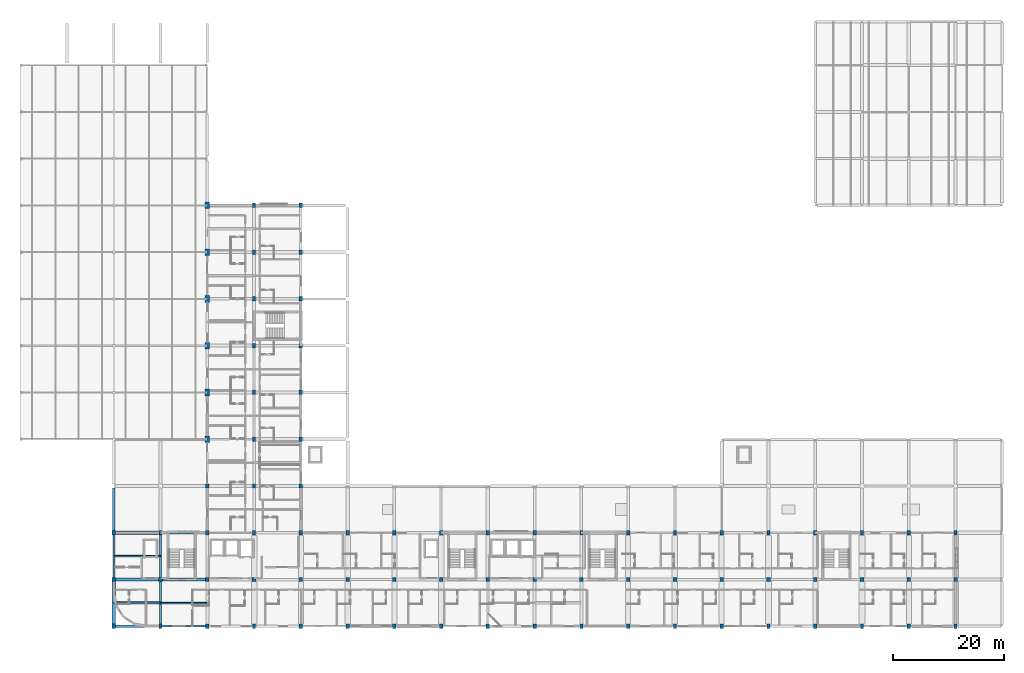
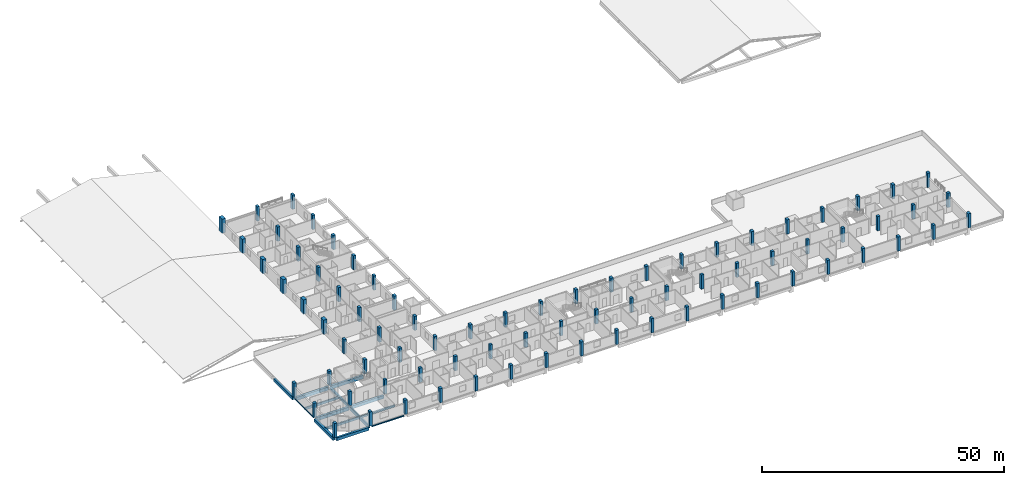
# One storey, part 1 of 42: 78 columns, 14 beams.
"""IFC4 building model written with IfcOpenShell, lengths in metres."""

from ifc_helpers import new_model, si_unit, derived_unit, direction, frame, origin, origin_2d, place, context, subcontext, project, spatial, rectangle, hollow_rectangle, i_section, extrude, material, material_profile, profile_set, type_object, element, save


model = new_model("IFC4")

# Units and contexts
model_context = context("Model", 3, precision=1e-05, world=origin(), true_north=direction((0.0, 1.0)))
body_context = subcontext(model_context, "Body", "Model", "MODEL_VIEW")
ifc_project = project(units=[si_unit("LENGTHUNIT", "METRE"), si_unit("AREAUNIT", "SQUARE_METRE"), si_unit("VOLUMEUNIT", "CUBIC_METRE"), si_unit("PLANEANGLEUNIT", "RADIAN"), si_unit("MASSUNIT", "GRAM", prefix="KILO"), derived_unit("THERMALTRANSMITTANCEUNIT", [(si_unit("POWERUNIT", "WATT"), 1), (si_unit("LENGTHUNIT", "METRE"), -2), (si_unit("THERMODYNAMICTEMPERATUREUNIT", "KELVIN"), -1)])], contexts=[model_context])

# Site, building, storey
site_placement = place(None, origin())
site = spatial("IfcSite", under=ifc_project, at=site_placement, CompositionType="ELEMENT")
building_placement = place(site_placement, origin())
building = spatial("IfcBuilding", under=site, at=building_placement, Name="Barrovel Congress Hotel", CompositionType="ELEMENT")
storey_placement = place(building_placement, frame((0.0, 0.0, 18.300048828125)))
storey = spatial("IfcBuildingStorey", under=building, at=storey_placement, Name="L04", CompositionType="ELEMENT", Elevation=18.300048828125)

# Columns
ifc_material_1 = material(Name="Concrete C40", Category="concrete")
ifc_material_profile_1 = material_profile(ifc_material_1, rectangle(XDim=0.60009765625, YDim=0.800048828125, at=origin_2d()), Name="RC600x800")
ifc_profile_set_1 = profile_set([ifc_material_profile_1], Name="Concrete C40")
column_type_1 = type_object("IfcColumnType", Name="COL-RC600x800", PredefinedType="COLUMN", material=ifc_profile_set_1)
for number, where, z_axis, x_axis, name in (
    (1, (16.800048828125, 4.199951171875, 0.0), (0.0, 0.0, 1.0), (1.0, 0.0, 0.0), "COL:L04:16.8:4.2"),
    (2, (16.800048828125, 21.0, 0.0), (0.0, 0.0, 1.0), (1.0, 0.0, 0.0), "COL:L04:16.8:21.0"),
    (3, (25.199951171875, 4.199951171875, 0.0), (0.0, 0.0, 1.0), (1.0, 0.0, 0.0), "COL:L04:25.2:4.2"),
    (4, (25.199951171875, 21.0, 0.0), (0.0, 0.0, 1.0), (1.0, 0.0, 0.0), "COL:L04:25.2:21.0"),
    (5, (33.60009765625, 4.199951171875, 0.0), (0.0, 0.0, 1.0), (1.0, 0.0, 0.0), "COL:L04:33.6:4.2"),
    (6, (33.60009765625, 21.0, 0.0), (0.0, 0.0, 1.0), (1.0, 0.0, 0.0), "COL:L04:33.6:21.0"),
    (7, (33.60009765625, 29.39990234375, 0.0), (0.0, 0.0, 1.0), (1.0, 0.0, 0.0), "COL:L04:33.6:29.4"),
    (8, (42.0, 4.199951171875, 0.0), (0.0, 0.0, 1.0), (1.0, 0.0, 0.0), "COL:L04:42.0:4.2"),
    (9, (42.0, 21.0, 0.0), (0.0, 0.0, 1.0), (1.0, 0.0, 0.0), "COL:L04:42.0:21.0"),
    (10, (42.0, 29.39990234375, 0.0), (0.0, 0.0, 1.0), (1.0, 0.0, 0.0), "COL:L04:42.0:29.4"),
    (11, (42.0, 37.800048828125, 0.0), (0.0, 0.0, 1.0), (1.0, 0.0, 0.0), "COL:L04:42.0:37.8"),
    (12, (42.0, 46.199951171875, 0.0), (0.0, 0.0, 1.0), (1.0, 0.0, 0.0), "COL:L04:42.0:46.2"),
    (13, (42.0, 54.60009765625, 0.0), (0.0, 0.0, 1.0), (1.0, 0.0, 0.0), "COL:L04:42.0:54.6"),
    (14, (42.0, 63.0, 0.0), (0.0, 0.0, 1.0), (1.0, 0.0, 0.0), "COL:L04:42.0:63.0"),
    (15, (42.0, 71.39990234375, 0.0), (0.0, 0.0, 1.0), (1.0, 0.0, 0.0), "COL:L04:42.0:71.4"),
    (16, (42.0, 79.800048828125, 0.0), (0.0, 0.0, 1.0), (1.0, 0.0, 0.0), "COL:L04:42.0:79.8"),
    (17, (50.39990234375, 4.199951171875, 0.0), (0.0, 0.0, 1.0), (1.0, 0.0, 0.0), "COL:L04:50.4:4.2"),
    (18, (50.39990234375, 21.0, 0.0), (0.0, 0.0, 1.0), (1.0, 0.0, 0.0), "COL:L04:50.4:21.0"),
    (19, (50.39990234375, 29.39990234375, 0.0), (0.0, 0.0, 1.0), (1.0, 0.0, 0.0), "COL:L04:50.4:29.4"),
    (20, (50.39990234375, 37.800048828125, 0.0), (0.0, 0.0, 1.0), (1.0, 0.0, 0.0), "COL:L04:50.4:37.8"),
    (21, (50.39990234375, 46.199951171875, 0.0), (0.0, 0.0, 1.0), (1.0, 0.0, 0.0), "COL:L04:50.4:46.2"),
    (22, (50.39990234375, 54.60009765625, 0.0), (0.0, 0.0, 1.0), (1.0, 0.0, 0.0), "COL:L04:50.4:54.6"),
    (23, (50.39990234375, 63.0, 0.0), (0.0, 0.0, 1.0), (1.0, 0.0, 0.0), "COL:L04:50.4:63.0"),
    (24, (50.39990234375, 71.39990234375, 0.0), (0.0, 0.0, 1.0), (1.0, 0.0, 0.0), "COL:L04:50.4:71.4"),
    (25, (50.39990234375, 79.800048828125, 0.0), (0.0, 0.0, 1.0), (1.0, 0.0, 0.0), "COL:L04:50.4:79.8"),
    (26, (58.800048828125, 4.199951171875, 0.0), (0.0, 0.0, 1.0), (1.0, 0.0, 0.0), "COL:L04:58.8:4.2"),
    (27, (58.800048828125, 21.0, 0.0), (0.0, 0.0, 1.0), (1.0, 0.0, 0.0), "COL:L04:58.8:21.0"),
    (28, (67.199951171875, 4.199951171875, 0.0), (0.0, 0.0, 1.0), (1.0, 0.0, 0.0), "COL:L04:67.2:4.2"),
    (29, (67.199951171875, 21.0, 0.0), (0.0, 0.0, 1.0), (1.0, 0.0, 0.0), "COL:L04:67.2:21.0"),
    (30, (75.60009765625, 4.199951171875, 0.0), (0.0, 0.0, 1.0), (1.0, 0.0, 0.0), "COL:L04:75.6:4.2"),
    (31, (75.60009765625, 21.0, 0.0), (0.0, 0.0, 1.0), (1.0, 0.0, 0.0), "COL:L04:75.6:21.0"),
    (32, (84.0, 4.199951171875, 0.0), (0.0, 0.0, 1.0), (1.0, 0.0, 0.0), "COL:L04:84.0:4.2"),
    (33, (84.0, 21.0, 0.0), (0.0, 0.0, 1.0), (1.0, 0.0, 0.0), "COL:L04:84.0:21.0"),
    (34, (92.39990234375, 4.199951171875, 0.0), (0.0, 0.0, 1.0), (1.0, 0.0, 0.0), "COL:L04:92.4:4.2"),
    (35, (92.39990234375, 21.0, 0.0), (0.0, 0.0, 1.0), (1.0, 0.0, 0.0), "COL:L04:92.4:21.0"),
    (36, (100.800048828125, 4.199951171875, 0.0), (0.0, 0.0, 1.0), (1.0, 0.0, 0.0), "COL:L04:100.8:4.2"),
    (37, (100.800048828125, 21.0, 0.0), (0.0, 0.0, 1.0), (1.0, 0.0, 0.0), "COL:L04:100.8:21.0"),
    (38, (109.199951171875, 4.199951171875, 0.0), (0.0, 0.0, 1.0), (1.0, 0.0, 0.0), "COL:L04:109.2:4.2"),
    (39, (109.199951171875, 21.0, 0.0), (0.0, 0.0, 1.0), (1.0, 0.0, 0.0), "COL:L04:109.2:21.0"),
    (40, (117.60009765625, 4.199951171875, 0.0), (0.0, 0.0, 1.0), (1.0, 0.0, 0.0), "COL:L04:117.6:4.2"),
    (41, (117.60009765625, 21.0, 0.0), (0.0, 0.0, 1.0), (1.0, 0.0, 0.0), "COL:L04:117.6:21.0"),
    (42, (126.0, 4.199951171875, 0.0), (0.0, 0.0, 1.0), (1.0, 0.0, 0.0), "COL:L04:126.0:4.2"),
    (43, (126.0, 21.0, 0.0), (0.0, 0.0, 1.0), (1.0, 0.0, 0.0), "COL:L04:126.0:21.0"),
    (44, (134.39990234375, 4.199951171875, 0.0), (0.0, 0.0, 1.0), (1.0, 0.0, 0.0), "COL:L04:134.4:4.2"),
    (45, (134.39990234375, 21.0, 0.0), (0.0, 0.0, 1.0), (1.0, 0.0, 0.0), "COL:L04:134.4:21.0"),
    (46, (142.800048828125, 4.199951171875, 0.0), (0.0, 0.0, 1.0), (1.0, 0.0, 0.0), "COL:L04:142.8:4.2"),
    (47, (142.800048828125, 21.0, 0.0), (0.0, 0.0, 1.0), (1.0, 0.0, 0.0), "COL:L04:142.8:21.0"),
    (48, (151.199951171875, 4.199951171875, 0.0), (0.0, 0.0, 1.0), (1.0, 0.0, 0.0), "COL:L04:151.2:4.2"),
    (49, (151.199951171875, 21.0, 0.0), (0.0, 0.0, 1.0), (1.0, 0.0, 0.0), "COL:L04:151.2:21.0"),
    (50, (159.60009765625, 4.199951171875, 0.0), (0.0, 0.0, 1.0), (1.0, 0.0, 0.0), "COL:L04:159.6:4.2"),
    (51, (159.60009765625, 21.0, 0.0), (0.0, 0.0, 1.0), (1.0, 0.0, 0.0), "COL:L04:159.6:21.0"),
    (52, (168.0, 4.199951171875, 0.0), (0.0, 0.0, 1.0), (1.0, 0.0, 0.0), "COL:L04:168.0:4.2"),
    (53, (168.0, 21.0, 0.0), (0.0, 0.0, 1.0), (1.0, 0.0, 0.0), "COL:L04:168.0:21.0"),
):
    element("IfcColumn", number, at=place(storey_placement, frame(where, z_axis=z_axis, x_axis=x_axis)), inside=storey, type_object=column_type_1, Name=name, PredefinedType="COLUMN", context=body_context, shape_type="SweptSolid", body=[
        extrude(rectangle(XDim=0.60009765625, YDim=0.800048828125, at=origin_2d()), origin(), (0.0, 0.0, 1.0), 3.599853515625),
    ])
ifc_material_profile_2 = material_profile(ifc_material_1, rectangle(XDim=0.64990234375, YDim=0.64990234375, at=origin_2d()), Name="RC650x650")
ifc_profile_set_2 = profile_set([ifc_material_profile_2], Name="Concrete C40")
column_type_2 = type_object("IfcColumnType", Name="COL-RC650x650", PredefinedType="COLUMN", material=ifc_profile_set_2)
for number, where, z_axis, x_axis, name in (
    (54, (16.800048828125, 12.60009765625, 0.0), (0.0, 0.0, 1.0), (1.0, 0.0, 0.0), "COL:L04:16.8:12.6"),
    (55, (25.199951171875, 12.60009765625, 0.0), (0.0, 0.0, 1.0), (1.0, 0.0, 0.0), "COL:L04:25.2:12.6"),
    (56, (33.60009765625, 12.60009765625, 0.0), (0.0, 0.0, 1.0), (1.0, 0.0, 0.0), "COL:L04:33.6:12.6"),
    (57, (42.0, 12.60009765625, 0.0), (0.0, 0.0, 1.0), (1.0, 0.0, 0.0), "COL:L04:42.0:12.6"),
    (58, (50.39990234375, 12.60009765625, 0.0), (0.0, 0.0, 1.0), (1.0, 0.0, 0.0), "COL:L04:50.4:12.6"),
    (59, (58.800048828125, 12.60009765625, 0.0), (0.0, 0.0, 1.0), (1.0, 0.0, 0.0), "COL:L04:58.8:12.6"),
    (60, (67.199951171875, 12.60009765625, 0.0), (0.0, 0.0, 1.0), (1.0, 0.0, 0.0), "COL:L04:67.2:12.6"),
    (61, (75.60009765625, 12.60009765625, 0.0), (0.0, 0.0, 1.0), (1.0, 0.0, 0.0), "COL:L04:75.6:12.6"),
    (62, (84.0, 12.60009765625, 0.0), (0.0, 0.0, 1.0), (1.0, 0.0, 0.0), "COL:L04:84.0:12.6"),
    (63, (92.39990234375, 12.60009765625, 0.0), (0.0, 0.0, 1.0), (1.0, 0.0, 0.0), "COL:L04:92.4:12.6"),
    (64, (100.800048828125, 12.60009765625, 0.0), (0.0, 0.0, 1.0), (1.0, 0.0, 0.0), "COL:L04:100.8:12.6"),
    (65, (109.199951171875, 12.60009765625, 0.0), (0.0, 0.0, 1.0), (1.0, 0.0, 0.0), "COL:L04:109.2:12.6"),
    (66, (117.60009765625, 12.60009765625, 0.0), (0.0, 0.0, 1.0), (1.0, 0.0, 0.0), "COL:L04:117.6:12.6"),
    (67, (126.0, 12.60009765625, 0.0), (0.0, 0.0, 1.0), (1.0, 0.0, 0.0), "COL:L04:126.0:12.6"),
    (68, (134.39990234375, 12.60009765625, 0.0), (0.0, 0.0, 1.0), (1.0, 0.0, 0.0), "COL:L04:134.4:12.6"),
    (69, (142.800048828125, 12.60009765625, 0.0), (0.0, 0.0, 1.0), (1.0, 0.0, 0.0), "COL:L04:142.8:12.6"),
    (70, (151.199951171875, 12.60009765625, 0.0), (0.0, 0.0, 1.0), (1.0, 0.0, 0.0), "COL:L04:151.2:12.6"),
    (71, (159.60009765625, 12.60009765625, 0.0), (0.0, 0.0, 1.0), (1.0, 0.0, 0.0), "COL:L04:159.6:12.6"),
    (72, (168.0, 12.60009765625, 0.0), (0.0, 0.0, 1.0), (1.0, 0.0, 0.0), "COL:L04:168.0:12.6"),
):
    element("IfcColumn", number, at=place(storey_placement, frame(where, z_axis=z_axis, x_axis=x_axis)), inside=storey, type_object=column_type_2, Name=name, PredefinedType="COLUMN", context=body_context, shape_type="SweptSolid", body=[
        extrude(rectangle(XDim=0.64990234375, YDim=0.64990234375, at=origin_2d()), origin(), (0.0, 0.0, 1.0), 3.599853515625),
    ])
ifc_material_profile_3 = material_profile(ifc_material_1, rectangle(XDim=0.800048828125, YDim=1.199951171875, at=origin_2d()), Name="RC800x1200")
ifc_profile_set_3 = profile_set([ifc_material_profile_3], Name="Concrete C40")
column_type_3 = type_object("IfcColumnType", Name="COL-RC800x1200", PredefinedType="COLUMN", material=ifc_profile_set_3)
for number, where, z_axis, x_axis, name in (
    (73, (33.60009765625, 37.800048828125, 0.0), (0.0, 0.0, 1.0), (1.0, 0.0, 0.0), "COL:L04:33.6:37.8"),
    (74, (33.60009765625, 46.199951171875, 0.0), (0.0, 0.0, 1.0), (1.0, 0.0, 0.0), "COL:L04:33.6:46.2"),
    (75, (33.60009765625, 54.60009765625, 0.0), (0.0, 0.0, 1.0), (1.0, 0.0, 0.0), "COL:L04:33.6:54.6"),
    (76, (33.60009765625, 63.0, 0.0), (0.0, 0.0, 1.0), (1.0, 0.0, 0.0), "COL:L04:33.6:63.0"),
    (77, (33.60009765625, 71.39990234375, 0.0), (0.0, 0.0, 1.0), (1.0, 0.0, 0.0), "COL:L04:33.6:71.4"),
    (78, (33.60009765625, 79.800048828125, 0.0), (0.0, 0.0, 1.0), (1.0, 0.0, 0.0), "COL:L04:33.6:79.8"),
):
    element("IfcColumn", number, at=place(storey_placement, frame(where, z_axis=z_axis, x_axis=x_axis)), inside=storey, type_object=column_type_3, Name=name, PredefinedType="COLUMN", context=body_context, shape_type="SweptSolid", body=[
        extrude(rectangle(XDim=0.800048828125, YDim=1.199951171875, at=origin_2d()), origin(), (0.0, 0.0, 1.0), 3.599853515625),
    ])

# Beams
ifc_material_profile_4 = material_profile(ifc_material_1, rectangle(XDim=0.300048828125, YDim=0.5, at=origin_2d()), Name="RC300x500")
ifc_profile_set_4 = profile_set([ifc_material_profile_4], Name="Concrete C40")
beam_type_1 = type_object("IfcBeamType", Name="BM-RC300x500", PredefinedType="JOIST", material=ifc_profile_set_4)
beam_1_placement = place(storey_placement, frame((25.280029296875, 8.39990234375, -0.550048828125), z_axis=(1.0, 0.0, 0.0), x_axis=(0.0, 1.0, 0.0)))
element("IfcBeam", 79, at=beam_1_placement, inside=storey, type_object=beam_type_1, Name="JST:L04:25.2:8.4", PredefinedType="JOIST", context=body_context, shape_type="SweptSolid", body=[
    extrude(rectangle(XDim=0.300048828125, YDim=0.5, at=origin_2d()), origin(), (0.0, 0.0, 1.0), 8.239990234375),
])
ifc_material_profile_5 = material_profile(ifc_material_1, rectangle(XDim=0.300048828125, YDim=0.60009765625, at=origin_2d()), Name="RC300x600")
ifc_profile_set_5 = profile_set([ifc_material_profile_5], Name="Concrete C40")
beam_type_2 = type_object("IfcBeamType", Name="BM-RC300x600", PredefinedType="JOIST", material=ifc_profile_set_5)
beam_2_placement = place(storey_placement, frame((16.8798828125, 16.800048828125, -0.60009765625), z_axis=(1.0, 0.0, 0.0), x_axis=(0.0, 1.0, 0.0)))
element("IfcBeam", 80, at=beam_2_placement, inside=storey, type_object=beam_type_2, Name="JST:L04:16.8:16.8", PredefinedType="JOIST", context=body_context, shape_type="SweptSolid", body=[
    extrude(rectangle(XDim=0.300048828125, YDim=0.60009765625, at=origin_2d()), origin(), (0.0, 0.0, 1.0), 8.240234375),
])
ifc_material_profile_6 = material_profile(ifc_material_1, rectangle(XDim=0.35009765625, YDim=0.550048828125, at=origin_2d()), Name="RC350x550")
ifc_profile_set_6 = profile_set([ifc_material_profile_6], Name="Concrete C40")
beam_type_3 = type_object("IfcBeamType", Name="BM-RC350x550", PredefinedType="JOIST", material=ifc_profile_set_6)
beam_3_placement = place(storey_placement, frame((16.8798828125, 8.39990234375, -0.574951171875), z_axis=(1.0, 0.0, 0.0), x_axis=(0.0, 1.0, 0.0)))
element("IfcBeam", 81, at=beam_3_placement, inside=storey, type_object=beam_type_3, Name="JST:L04:16.8:8.4", PredefinedType="JOIST", context=body_context, shape_type="SweptSolid", body=[
    extrude(rectangle(XDim=0.35009765625, YDim=0.550048828125, at=origin_2d()), origin(), (0.0, 0.0, 1.0), 8.240234375),
])
ifc_material_profile_7 = material_profile(ifc_material_1, rectangle(XDim=0.39990234375, YDim=0.60009765625, at=origin_2d()), Name="RC400x600")
ifc_profile_set_7 = profile_set([ifc_material_profile_7], Name="Concrete C40")
beam_type_4 = type_object("IfcBeamType", Name="BM-RC400x600", PredefinedType="BEAM", material=ifc_profile_set_7)
beam_4_placement = place(storey_placement, frame((25.199951171875, 12.949951171875, -0.60009765625), z_axis=(0.0, 1.0, 0.0), x_axis=(-1.0, 0.0, 0.0)))
element("IfcBeam", 82, at=beam_4_placement, inside=storey, type_object=beam_type_4, Name="BMY:L04:25.2:12.6-21.0", PredefinedType="BEAM", context=body_context, shape_type="SweptSolid", body=[
    extrude(rectangle(XDim=0.39990234375, YDim=0.60009765625, at=origin_2d()), origin(), (0.0, 0.0, 1.0), 7.699951171875),
])
ifc_material_profile_8 = material_profile(ifc_material_1, rectangle(XDim=0.39990234375, YDim=0.699951171875, at=origin_2d()), Name="RC400x700")
ifc_profile_set_8 = profile_set([ifc_material_profile_8], Name="Concrete C40")
beam_type_5 = type_object("IfcBeamType", Name="BM-RC400x700", PredefinedType="BEAM", material=ifc_profile_set_8)
beam_5_placement = place(storey_placement, frame((25.199951171875, 4.550048828125, -0.650146484375), z_axis=(0.0, 1.0, 0.0), x_axis=(-1.0, 0.0, 0.0)))
element("IfcBeam", 83, at=beam_5_placement, inside=storey, type_object=beam_type_5, Name="BMY:L04:25.2:4.2-12.6", PredefinedType="BEAM", context=body_context, shape_type="SweptSolid", body=[
    extrude(rectangle(XDim=0.39990234375, YDim=0.699951171875, at=origin_2d()), origin(), (0.0, 0.0, 1.0), 7.699951171875),
])
ifc_material_profile_9 = material_profile(ifc_material_1, rectangle(XDim=0.5, YDim=0.75, at=origin_2d()), Name="RC500x750")
ifc_profile_set_9 = profile_set([ifc_material_profile_9], Name="Concrete C40")
beam_type_6 = type_object("IfcBeamType", Name="BM-RC500x750", PredefinedType="BEAM", material=ifc_profile_set_9)
beam_6_placement = place(storey_placement, frame((17.14990234375, 4.199951171875, -0.675048828125), z_axis=(1.0, 0.0, 0.0), x_axis=(0.0, 1.0, 0.0)))
element("IfcBeam", 84, at=beam_6_placement, inside=storey, type_object=beam_type_6, Name="BMX:L04:4.2:16.8-25.2", PredefinedType="BEAM", context=body_context, shape_type="SweptSolid", body=[
    extrude(rectangle(XDim=0.5, YDim=0.75, at=origin_2d()), origin(), (0.0, 0.0, 1.0), 7.7001953125),
])
for number, where, z_axis, x_axis, name in (
    (85, (25.550048828125, 12.60009765625, -0.675048828125), (1.0, 0.0, 0.0), (0.0, 1.0, 0.0), "BMX:L04:12.6:25.2-33.6"),
    (86, (16.800048828125, 21.35009765625, -0.675048828125), (0.0, 1.0, 0.0), (-1.0, 0.0, 0.0), "BMY:L04:16.8:21.0-29.4"),
):
    element("IfcBeam", number, at=place(storey_placement, frame(where, z_axis=z_axis, x_axis=x_axis)), inside=storey, type_object=beam_type_6, Name=name, PredefinedType="BEAM", context=body_context, shape_type="SweptSolid", body=[
        extrude(rectangle(XDim=0.5, YDim=0.75, at=origin_2d()), origin(), (0.0, 0.0, 1.0), 7.699951171875),
    ])
ifc_material_profile_10 = material_profile(ifc_material_1, rectangle(XDim=0.5, YDim=0.85009765625, at=origin_2d()), Name="RC500x850")
ifc_profile_set_10 = profile_set([ifc_material_profile_10], Name="Concrete C40")
beam_type_7 = type_object("IfcBeamType", Name="BM-RC500x850", PredefinedType="BEAM", material=ifc_profile_set_10)
beam_7_placement = place(storey_placement, frame((17.14990234375, 12.60009765625, -0.72509765625), z_axis=(1.0, 0.0, 0.0), x_axis=(0.0, 1.0, 0.0)))
element("IfcBeam", 87, at=beam_7_placement, inside=storey, type_object=beam_type_7, Name="BMX:L04:12.6:16.8-25.2", PredefinedType="BEAM", context=body_context, shape_type="SweptSolid", body=[
    extrude(rectangle(XDim=0.5, YDim=0.85009765625, at=origin_2d()), origin(), (0.0, 0.0, 1.0), 7.7001953125),
])
beam_8_placement = place(storey_placement, frame((25.550048828125, 21.0, -0.72509765625), z_axis=(1.0, 0.0, 0.0), x_axis=(0.0, 1.0, 0.0)))
element("IfcBeam", 88, at=beam_8_placement, inside=storey, type_object=beam_type_7, Name="BMX:L04:21.0:25.2-33.6", PredefinedType="BEAM", context=body_context, shape_type="SweptSolid", body=[
    extrude(rectangle(XDim=0.5, YDim=0.85009765625, at=origin_2d()), origin(), (0.0, 0.0, 1.0), 7.699951171875),
])
ifc_material_profile_11 = material_profile(ifc_material_1, rectangle(XDim=0.550048828125, YDim=0.800048828125, at=origin_2d()), Name="RC550x800")
ifc_profile_set_11 = profile_set([ifc_material_profile_11], Name="Concrete C40")
beam_type_8 = type_object("IfcBeamType", Name="BM-RC550x800", PredefinedType="BEAM", material=ifc_profile_set_11)
beam_9_placement = place(storey_placement, frame((17.14990234375, 21.0, -0.699951171875), z_axis=(1.0, 0.0, 0.0), x_axis=(0.0, 1.0, 0.0)))
element("IfcBeam", 89, at=beam_9_placement, inside=storey, type_object=beam_type_8, Name="BMX:L04:21.0:16.8-25.2", PredefinedType="BEAM", context=body_context, shape_type="SweptSolid", body=[
    extrude(rectangle(XDim=0.550048828125, YDim=0.800048828125, at=origin_2d()), origin(), (0.0, 0.0, 1.0), 7.7001953125),
])
beam_10_placement = place(storey_placement, frame((16.800048828125, 4.550048828125, -0.699951171875), z_axis=(0.0, 1.0, 0.0), x_axis=(-1.0, 0.0, 0.0)))
element("IfcBeam", 90, at=beam_10_placement, inside=storey, type_object=beam_type_8, Name="BMY:L04:16.8:4.2-12.6", PredefinedType="BEAM", context=body_context, shape_type="SweptSolid", body=[
    extrude(rectangle(XDim=0.550048828125, YDim=0.800048828125, at=origin_2d()), origin(), (0.0, 0.0, 1.0), 7.699951171875),
])
ifc_material_2 = material(Name="Steel ASTM A500 Grade C", Category="steel")
ifc_material_profile_12 = material_profile(ifc_material_2, hollow_rectangle(XDim=0.15234375, YDim=0.25390625, WallThickness=0.0087890625, InnerFilletRadius=0.0087890625, OuterFilletRadius=0.017578125, at=origin_2d()), Name="HSS254x152x9.5")
ifc_profile_set_12 = profile_set([ifc_material_profile_12], Name="Steel ASTM A500 Grade C")
beam_type_9 = type_object("IfcBeamType", Name="SBM-HSS254x152x9.5", PredefinedType="SPANDREL", material=ifc_profile_set_12)
beam_11_placement = place(storey_placement, frame((16.800048828125, 12.949951171875, -0.427001953125), z_axis=(0.0, 1.0, 0.0), x_axis=(-1.0, 0.0, 0.0)))
element("IfcBeam", 91, at=beam_11_placement, inside=storey, type_object=beam_type_9, Name="BMY:L04:16.8:12.6-21.0", PredefinedType="SPANDREL", context=body_context, shape_type="SweptSolid", body=[
    extrude(hollow_rectangle(XDim=0.15234375, YDim=0.25390625, WallThickness=0.0087890625, InnerFilletRadius=0.0087890625, OuterFilletRadius=0.017578125, at=origin_2d()), origin(), (0.0, 0.0, 1.0), 7.699951171875),
])
ifc_material_3 = material(Name="Steel ASTM A992 Grade 50", Category="steel")
ifc_material_profile_13 = material_profile(ifc_material_3, i_section(OverallWidth=0.205078125, OverallDepth=0.31005859375, WebThickness=0.009521484375, FlangeThickness=0.016357421875, FilletRadius=0.012939453125, at=origin_2d()), Name="W310x74")
ifc_profile_set_13 = profile_set([ifc_material_profile_13], Name="Steel ASTM A992 Grade 50")
beam_type_10 = type_object("IfcBeamType", Name="SBM-W310x74", PredefinedType="SPANDREL", material=ifc_profile_set_13)
beam_12_placement = place(storey_placement, frame((25.550048828125, 4.199951171875, -0.455078125), z_axis=(1.0, 0.0, 0.0), x_axis=(0.0, 1.0, 0.0)))
element("IfcBeam", 92, at=beam_12_placement, inside=storey, type_object=beam_type_10, Name="BMX:L04:4.2:25.2-33.6", PredefinedType="SPANDREL", context=body_context, shape_type="SweptSolid", body=[
    extrude(i_section(OverallWidth=0.205078125, OverallDepth=0.31005859375, WebThickness=0.009521484375, FlangeThickness=0.016357421875, FilletRadius=0.012939453125, at=origin_2d()), origin(), (0.0, 0.0, 1.0), 7.699951171875),
])

save(model, "model.ifc")
